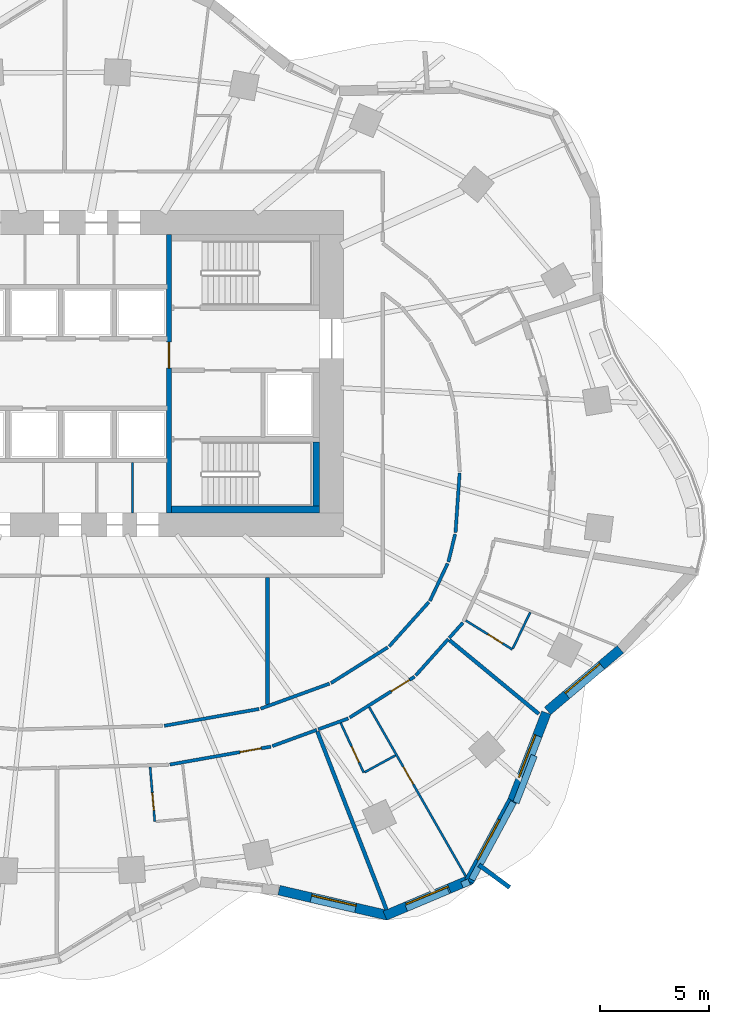
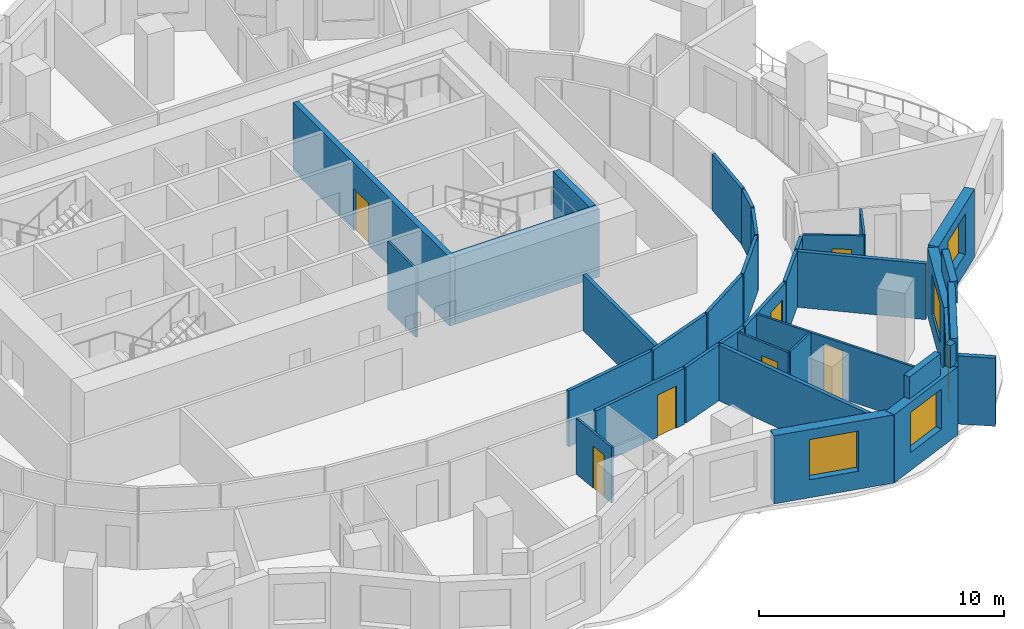
# One storey, part 7 of 13: 36 walls, 7 doors, 5 windows, 12 openings.
"""IFC4 building model written with IfcOpenShell, lengths in metres."""

from ifc_helpers import new_model, si_unit, direction, frame, frame_2d, origin, place, context, subcontext, project, spatial, rectangle, extrude, material, layer, layer_set, type_object, element, fill, save


model = new_model("IFC4")

# Units and contexts
model_context = context("Model", 3, precision=1e-05, world=origin(), true_north=direction((0.0, 1.0)))
body_context = subcontext(model_context, "Body", "Model", "MODEL_VIEW")
ifc_project = project(units=[si_unit("LENGTHUNIT", "METRE"), si_unit("AREAUNIT", "SQUARE_METRE"), si_unit("VOLUMEUNIT", "CUBIC_METRE"), si_unit("PLANEANGLEUNIT", "RADIAN"), si_unit("MASSUNIT", "GRAM", prefix="KILO")], contexts=[model_context])

# Site, building, storey
site_placement = place(None, origin())
site = spatial("IfcSite", under=ifc_project, at=site_placement, CompositionType="ELEMENT")
building_placement = place(site_placement, origin())
building = spatial("IfcBuilding", under=site, at=building_placement, Name="Rubra Terraces Tower", CompositionType="ELEMENT")
storey_placement = place(building_placement, frame((0.0, 0.0, 85.199951171875)))
storey = spatial("IfcBuildingStorey", under=building, at=storey_placement, Name="L19", CompositionType="ELEMENT", Elevation=85.199951171875)

# Walls
ifc_material_1 = material(Name="Twin plasterboard on staggered steel stud, acoustic mineral wool", Category="steel")
ifc_layer_1 = layer(ifc_material_1, 0.175048828125)
ifc_layer_set_1 = layer_set([ifc_layer_1], Name="Twin plasterboard on staggered steel stud, acoustic mineral wool")
wall_type_1 = type_object("IfcWallType", Name="ACOUSTIC PARTY WALL 175", PredefinedType="PARTITIONING", material=ifc_layer_set_1)
wall_1_placement = place(storey_placement, frame((14.975830078125, -20.15283203125, 0.0), z_axis=(0.0, 0.0, 1.0), x_axis=(-0.361741189075, 0.932278559298, 0.0)))
element("IfcWall", 1, at=wall_1_placement, inside=storey, type_object=wall_type_1, Name="PARTITION", PredefinedType="PARTITIONING", context=body_context, shape_type="SweptSolid", body=[
    extrude(rectangle(XDim=8.79052734375, YDim=0.175048828125, at=frame_2d((4.395263671875, 0.0))), origin(), (0.0, 0.0, 1.0), 2.783935546875),
])
wall_2_placement = place(storey_placement, frame((21.981201171875, -11.149658203125, 0.0), z_axis=(0.0, 0.0, 1.0), x_axis=(-0.77113299289, 0.636674098167, 0.0)))
element("IfcWall", 2, at=wall_2_placement, inside=storey, type_object=wall_type_1, Name="PARTITION", PredefinedType="PARTITIONING", context=body_context, shape_type="SweptSolid", body=[
    extrude(rectangle(XDim=5.325439453125, YDim=0.175048828125, at=frame_2d((2.66259765625, 0.0))), origin(), (0.0, 0.0, 1.0), 2.783935546875),
])
wall_3_placement = place(storey_placement, frame((9.5, -10.723388671875, 0.0), z_axis=(0.0, 0.0, 1.0), x_axis=(0.0, 1.0, 0.0)))
element("IfcWall", 3, at=wall_3_placement, inside=storey, type_object=wall_type_1, Name="PARTITION", PredefinedType="PARTITIONING", context=body_context, shape_type="SweptSolid", body=[
    extrude(rectangle(XDim=5.848388671875, YDim=0.175048828125, at=frame_2d((2.92431640625, 0.0))), origin(), (0.0, 0.0, 1.0), 2.783935546875),
])

# Wall, opening, window
ifc_material_2 = material(Name="Brick masonry red-brown", Category="masonry")
ifc_layer_2 = layer(ifc_material_2, 0.449951171875)
ifc_layer_set_2 = layer_set([ifc_layer_2], Name="Brick masonry red-brown")
wall_type_2 = type_object("IfcWallType", Name="Brick facade wall 450", PredefinedType="SOLIDWALL", material=ifc_layer_set_2)
wall_4_placement = place(storey_placement, frame((10.0341796875, -19.258544921875, 0.0), z_axis=(0.0, 0.0, 1.0), x_axis=(0.974223567844, -0.225584662283, 0.0)))
wall_4 = element("IfcWall", 4, at=wall_4_placement, inside=storey, type_object=wall_type_2, Name="Facade wall L19 bay 34", PredefinedType="SOLIDWALL", context=body_context, shape_type="SweptSolid", body=[
    extrude(rectangle(XDim=5.138671875, YDim=0.449951171875, at=frame_2d((2.5693359375, 0.0))), origin(), (0.0, 0.0, 1.0), 3.400146484375),
])
opening_1_placement = place(wall_4_placement, frame((1.51904296875, 0.0, 0.89990234375)))
opening_1 = element("IfcOpeningElement", 5, at=opening_1_placement, cuts=wall_4, Name="Opening W1", PredefinedType="OPENING", context=body_context, shape_type="SweptSolid", body=[
    extrude(rectangle(XDim=2.10009765625, YDim=2.0, at=frame_2d((1.050048828125, 1.0))), frame((0.0, 0.23486328125, 0.0), z_axis=(0.0, -1.0, 0.0), x_axis=(1.0, 0.0, 0.0)), (0.0, 0.0, 1.0), 0.469970703125),
])
ifc_material_3 = material(Name="Clear glass in aluminium frame", Category="aluminium")
window_type = type_object("IfcWindowType", Name="Fixed deep-set window 2100 x 2000", PartitioningType="SINGLE_PANEL", PredefinedType="WINDOW", material=ifc_material_3)
window_1_placement = place(opening_1_placement, origin())
window_1 = element("IfcWindow", 6, at=window_1_placement, inside=storey, type_object=window_type, Name="Window L19 bay 34", OverallHeight=2.0, OverallWidth=2.10009765625, PartitioningType="SINGLE_PANEL", PredefinedType="WINDOW", context=body_context, shape_type="SweptSolid", body=[
    extrude(rectangle(XDim=2.10009765625, YDim=2.0, at=frame_2d((1.050048828125, 1.0))), frame((0.0, 0.135009765625, 0.0), z_axis=(0.0, -1.0, 0.0), x_axis=(1.0, 0.0, 0.0)), (0.0, 0.0, 1.0), 0.06005859375),
])
fill(opening_1, window_1)

wall_5_placement = place(storey_placement, frame((14.906494140625, -20.4306640625, 0.0), z_axis=(0.0, 0.0, 1.0), x_axis=(0.921435803521, 0.388530642279, 0.0)))
wall_5 = element("IfcWall", 7, at=wall_5_placement, inside=storey, type_object=wall_type_2, Name="Facade wall L19 bay 35", PredefinedType="SOLIDWALL", context=body_context, shape_type="SweptSolid", body=[
    extrude(rectangle(XDim=4.308837890625, YDim=0.449951171875, at=frame_2d((2.154296875, 0.0))), origin(), (0.0, 0.0, 1.0), 3.400146484375),
])
opening_2_placement = place(wall_5_placement, frame((1.104248046875, 0.0, 0.89990234375)))
opening_2 = element("IfcOpeningElement", 8, at=opening_2_placement, cuts=wall_5, Name="Opening W1", PredefinedType="OPENING", context=body_context, shape_type="SweptSolid", body=[
    extrude(rectangle(XDim=2.10009765625, YDim=2.0, at=frame_2d((1.050048828125, 1.0))), frame((0.0, 0.23486328125, 0.0), z_axis=(0.0, -1.0, 0.0), x_axis=(1.0, 0.0, 0.0)), (0.0, 0.0, 1.0), 0.469970703125),
])
window_2_placement = place(opening_2_placement, origin())
window_2 = element("IfcWindow", 9, at=window_2_placement, inside=storey, type_object=window_type, Name="Window L19 bay 35", OverallHeight=2.0, OverallWidth=2.10009765625, PartitioningType="SINGLE_PANEL", PredefinedType="WINDOW", context=body_context, shape_type="SweptSolid", body=[
    extrude(rectangle(XDim=2.10009765625, YDim=2.0, at=frame_2d((1.050048828125, 1.0))), frame((0.0, 0.135009765625, 0.0), z_axis=(0.0, -1.0, 0.0), x_axis=(1.0, 0.0, 0.0)), (0.0, 0.0, 1.0), 0.06005859375),
])
fill(opening_2, window_2)

wall_6_placement = place(storey_placement, frame((18.767333984375, -18.8544921875, 0.0), z_axis=(0.0, 0.0, 1.0), x_axis=(0.474475888716, 0.880268499395, 0.0)))
wall_6 = element("IfcWall", 10, at=wall_6_placement, inside=storey, type_object=wall_type_2, Name="Facade wall L19 bay 36", PredefinedType="SOLIDWALL", context=body_context, shape_type="SweptSolid", body=[
    extrude(rectangle(XDim=4.21923828125, YDim=0.449951171875, at=frame_2d((2.109619140625, 0.0))), origin(), (0.0, 0.0, 1.0), 3.400146484375),
])
opening_3_placement = place(wall_6_placement, frame((1.059814453125, 0.0, 0.89990234375)))
opening_3 = element("IfcOpeningElement", 11, at=opening_3_placement, cuts=wall_6, Name="Opening W1", PredefinedType="OPENING", context=body_context, shape_type="SweptSolid", body=[
    extrude(rectangle(XDim=2.10009765625, YDim=2.0, at=frame_2d((1.050048828125, 1.0))), frame((0.0, 0.23486328125, 0.0), z_axis=(0.0, -1.0, 0.0), x_axis=(1.0, 0.0, 0.0)), (0.0, 0.0, 1.0), 0.469970703125),
])
window_3_placement = place(opening_3_placement, origin())
window_3 = element("IfcWindow", 12, at=window_3_placement, inside=storey, type_object=window_type, Name="Window L19 bay 36", OverallHeight=2.0, OverallWidth=2.10009765625, PartitioningType="SINGLE_PANEL", PredefinedType="WINDOW", context=body_context, shape_type="SweptSolid", body=[
    extrude(rectangle(XDim=2.10009765625, YDim=2.0, at=frame_2d((1.050048828125, 1.0))), frame((0.0, 0.135009765625, 0.0), z_axis=(0.0, -1.0, 0.0), x_axis=(1.0, 0.0, 0.0)), (0.0, 0.0, 1.0), 0.06005859375),
])
fill(opening_3, window_3)

wall_7_placement = place(storey_placement, frame((20.757080078125, -15.166015625, 0.0), z_axis=(0.0, 0.0, 1.0), x_axis=(0.360067043581, 0.932926430179, 0.0)))
wall_7 = element("IfcWall", 13, at=wall_7_placement, inside=storey, type_object=wall_type_2, Name="Facade wall L19 bay 37", PredefinedType="SOLIDWALL", context=body_context, shape_type="SweptSolid", body=[
    extrude(rectangle(XDim=4.35986328125, YDim=0.449951171875, at=frame_2d((2.179931640625, 0.0))), origin(), (0.0, 0.0, 1.0), 3.400146484375),
])
opening_4_placement = place(wall_7_placement, frame((1.1298828125, 0.0, 0.89990234375)))
opening_4 = element("IfcOpeningElement", 14, at=opening_4_placement, cuts=wall_7, Name="Opening W1", PredefinedType="OPENING", context=body_context, shape_type="SweptSolid", body=[
    extrude(rectangle(XDim=2.10009765625, YDim=2.0, at=frame_2d((1.050048828125, 1.0))), frame((0.0, 0.23486328125, 0.0), z_axis=(0.0, -1.0, 0.0), x_axis=(1.0, 0.0, 0.0)), (0.0, 0.0, 1.0), 0.469970703125),
])
window_4_placement = place(opening_4_placement, origin())
window_4 = element("IfcWindow", 15, at=window_4_placement, inside=storey, type_object=window_type, Name="Window L19 bay 37", OverallHeight=2.0, OverallWidth=2.10009765625, PartitioningType="SINGLE_PANEL", PredefinedType="WINDOW", context=body_context, shape_type="SweptSolid", body=[
    extrude(rectangle(XDim=2.10009765625, YDim=2.0, at=frame_2d((1.050048828125, 1.0))), frame((0.0, 0.135009765625, 0.0), z_axis=(0.0, -1.0, 0.0), x_axis=(1.0, 0.0, 0.0)), (0.0, 0.0, 1.0), 0.06005859375),
])
fill(opening_4, window_4)

wall_8_placement = place(storey_placement, frame((22.385986328125, -11.014404296875, 0.0), z_axis=(0.0, 0.0, 1.0), x_axis=(0.763569952162, 0.645725118108, 0.0)))
wall_8 = element("IfcWall", 16, at=wall_8_placement, inside=storey, type_object=wall_type_2, Name="Facade wall L19 bay 38", PredefinedType="SOLIDWALL", context=body_context, shape_type="SweptSolid", body=[
    extrude(rectangle(XDim=4.3857421875, YDim=0.449951171875, at=frame_2d((2.19287109375, 0.0))), origin(), (0.0, 0.0, 1.0), 3.400146484375),
])
opening_5_placement = place(wall_8_placement, frame((1.14306640625, 0.0, 0.89990234375)))
opening_5 = element("IfcOpeningElement", 17, at=opening_5_placement, cuts=wall_8, Name="Opening W1", PredefinedType="OPENING", context=body_context, shape_type="SweptSolid", body=[
    extrude(rectangle(XDim=2.10009765625, YDim=2.0, at=frame_2d((1.050048828125, 1.0))), frame((0.0, 0.23486328125, 0.0), z_axis=(0.0, -1.0, 0.0), x_axis=(1.0, 0.0, 0.0)), (0.0, 0.0, 1.0), 0.469970703125),
])
window_5_placement = place(opening_5_placement, origin())
window_5 = element("IfcWindow", 18, at=window_5_placement, inside=storey, type_object=window_type, Name="Window L19 bay 38", OverallHeight=2.0, OverallWidth=2.10009765625, PartitioningType="SINGLE_PANEL", PredefinedType="WINDOW", context=body_context, shape_type="SweptSolid", body=[
    extrude(rectangle(XDim=2.10009765625, YDim=2.0, at=frame_2d((1.050048828125, 1.0))), frame((0.0, 0.135009765625, 0.0), z_axis=(0.0, -1.0, 0.0), x_axis=(1.0, 0.0, 0.0)), (0.0, 0.0, 1.0), 0.06005859375),
])
fill(opening_5, window_5)

# Walls
ifc_layer_3 = layer(ifc_material_2, 0.300048828125)
ifc_layer_set_3 = layer_set([ifc_layer_3], Name="Brick masonry red-brown")
wall_type_3 = type_object("IfcWallType", Name="Brick parapet 300", PredefinedType="PARAPET", material=ifc_layer_set_3)
wall_9_placement = place(storey_placement, frame((15.890869140625, -20.096923828125, 3.60009765625), z_axis=(0.0, 0.0, 1.0), x_axis=(0.921468908678, 0.388452121038, 0.0)))
element("IfcWall", 19, at=wall_9_placement, inside=storey, type_object=wall_type_3, Name="Parapet L19 bay 35", PredefinedType="PARAPET", context=body_context, shape_type="SweptSolid", body=[
    extrude(rectangle(XDim=2.09912109375, YDim=0.300048828125, at=frame_2d((1.049560546875, 0.0))), origin(), (0.0, 0.0, 1.0), 1.099853515625),
])
wall_10_placement = place(storey_placement, frame((18.4462890625, -19.01953125, 3.60009765625), z_axis=(0.0, 0.0, 1.0), x_axis=(0.921356634102, 0.388718346358, 0.0)))
element("IfcWall", 20, at=wall_10_placement, inside=storey, type_object=wall_type_3, Name="Parapet L19 bay 35.2", PredefinedType="PARAPET", context=body_context, shape_type="SweptSolid", body=[
    extrude(rectangle(XDim=0.363037109375, YDim=0.300048828125, at=frame_2d((0.181640625, 0.0))), origin(), (0.0, 0.0, 1.0), 1.099853515625),
])
wall_11_placement = place(storey_placement, frame((18.896484375, -18.7734375, 3.60009765625), z_axis=(0.0, 0.0, 1.0), x_axis=(0.474444905835, 0.880285198857, 0.0)))
element("IfcWall", 21, at=wall_11_placement, inside=storey, type_object=wall_type_3, Name="Parapet L19 bay 36", PredefinedType="PARAPET", context=body_context, shape_type="SweptSolid", body=[
    extrude(rectangle(XDim=4.0498046875, YDim=0.300048828125, at=frame_2d((2.02490234375, 0.0))), origin(), (0.0, 0.0, 1.0), 1.099853515625),
])
wall_12_placement = place(storey_placement, frame((20.932861328125, -15.236572265625, 3.60009765625), z_axis=(0.0, 0.0, 1.0), x_axis=(0.360021038217, 0.932944184848, 0.0)))
element("IfcWall", 22, at=wall_12_placement, inside=storey, type_object=wall_type_3, Name="Parapet L19 bay 37", PredefinedType="PARAPET", context=body_context, shape_type="SweptSolid", body=[
    extrude(rectangle(XDim=2.3232421875, YDim=0.300048828125, at=frame_2d((1.16162109375, 0.0))), origin(), (0.0, 0.0, 1.0), 1.099853515625),
])
ifc_layer_4 = layer(ifc_material_2, 0.199951171875)
ifc_layer_set_4 = layer_set([ifc_layer_4], Name="Brick masonry red-brown")
wall_type_4 = type_object("IfcWallType", Name="Brick wind fin 200", PredefinedType="SOLIDWALL", material=ifc_layer_set_4)
wall_13_placement = place(storey_placement, frame((19.23095703125, -18.09912109375, 0.0), z_axis=(0.0, 0.0, 1.0), x_axis=(0.806085538754, -0.591799040394, 0.0)))
element("IfcWall", 23, at=wall_13_placement, inside=storey, type_object=wall_type_4, Name="Wind fin L19 22", PredefinedType="SOLIDWALL", context=body_context, shape_type="SweptSolid", body=[
    extrude(rectangle(XDim=1.75, YDim=0.199951171875, at=frame_2d((0.875, 0.0))), origin(), (0.0, 0.0, 1.0), 3.400146484375),
])

# Wall, opening, door
ifc_material_4 = material(Name="Plasterboard on steel stud, mineral wool infill", Category="steel")
ifc_layer_5 = layer(ifc_material_4, 0.14990234375)
ifc_layer_set_5 = layer_set([ifc_layer_5], Name="Plasterboard on steel stud, mineral wool infill")
wall_type_5 = type_object("IfcWallType", Name="CORRIDOR PARTITION 150", PredefinedType="PARTITIONING", material=ifc_layer_set_5)
wall_14_placement = place(storey_placement, frame((5.0146484375, -13.480224609375, 0.0), z_axis=(0.0, 0.0, 1.0), x_axis=(0.984637772103, 0.174609443467, 0.0)))
wall_14 = element("IfcWall", 24, at=wall_14_placement, inside=storey, type_object=wall_type_5, Name="PARTITION", PredefinedType="PARTITIONING", context=body_context, shape_type="SweptSolid", body=[
    extrude(rectangle(XDim=4.71484375, YDim=0.14990234375, at=frame_2d((2.357421875, 0.0))), origin(), (0.0, 0.0, 1.0), 2.783935546875),
])
opening_6_placement = place(wall_14_placement, frame((3.27197265625, 0.0, 0.0)))
opening_6 = element("IfcOpeningElement", 25, at=opening_6_placement, cuts=wall_14, Name="Opening 19-123", PredefinedType="OPENING", context=body_context, shape_type="SweptSolid", body=[
    extrude(rectangle(XDim=1.0, YDim=2.10009765625, at=frame_2d((0.5, 1.050048828125))), frame((0.0, 0.0849609375, 0.0), z_axis=(0.0, -1.0, 0.0), x_axis=(1.0, 0.0, 0.0)), (0.0, 0.0, 1.0), 0.169921875),
])
ifc_material_5 = material(Name="Painted timber door leaf", Category="wood")
door_type_1 = type_object("IfcDoorType", Name="ROOM DOOR 1000 X 2100", OperationType="SINGLE_SWING_LEFT", PredefinedType="DOOR", material=ifc_material_5)
door_1_placement = place(opening_6_placement, origin())
door_1 = element("IfcDoor", 26, at=door_1_placement, inside=storey, type_object=door_type_1, Name="DOOR 19-123", OperationType="SINGLE_SWING_RIGHT", OverallHeight=2.10009765625, OverallWidth=1.0, PredefinedType="DOOR", context=body_context, shape_type="SweptSolid", body=[
    extrude(rectangle(XDim=1.0, YDim=2.10009765625, at=frame_2d((0.5, 1.050048828125))), frame((0.0, 0.02490234375, 0.0), z_axis=(0.0, -1.0, 0.0), x_axis=(1.0, 0.0, 0.0)), (0.0, 0.0, 1.0), 0.050048828125),
])
fill(opening_6, door_1)

# Walls
wall_15_placement = place(storey_placement, frame((9.7275390625, -12.631103515625, 0.0), z_axis=(0.0, 0.0, 1.0), x_axis=(0.939625968265, 0.342203214133, 0.0)))
element("IfcWall", 27, at=wall_15_placement, inside=storey, type_object=wall_type_5, Name="PARTITION", PredefinedType="PARTITIONING", context=body_context, shape_type="SweptSolid", body=[
    extrude(rectangle(XDim=2.17236328125, YDim=0.14990234375, at=frame_2d((1.086181640625, 0.0))), origin(), (0.0, 0.0, 1.0), 2.783935546875),
])
wall_16_placement = place(storey_placement, frame((11.83935546875, -11.862060546875, 0.0), z_axis=(0.0, 0.0, 1.0), x_axis=(0.939613732968, 0.342236808099, 0.0)))
element("IfcWall", 28, at=wall_16_placement, inside=storey, type_object=wall_type_5, Name="PARTITION", PredefinedType="PARTITIONING", context=body_context, shape_type="SweptSolid", body=[
    extrude(rectangle(XDim=1.46875, YDim=0.14990234375, at=frame_2d((0.734375, 0.0))), origin(), (0.0, 0.0, 1.0), 2.783935546875),
])

# Wall, opening, door
wall_17_placement = place(storey_placement, frame((13.282958984375, -11.3193359375, 0.0), z_axis=(0.0, 0.0, 1.0), x_axis=(0.84630789582, 0.532694044901, 0.0)))
wall_17 = element("IfcWall", 29, at=wall_17_placement, inside=storey, type_object=wall_type_5, Name="PARTITION", PredefinedType="PARTITIONING", context=body_context, shape_type="SweptSolid", body=[
    extrude(rectangle(XDim=3.5302734375, YDim=0.14990234375, at=frame_2d((1.76513671875, 0.0))), origin(), (0.0, 0.0, 1.0), 2.783935546875),
])
opening_7_placement = place(wall_17_placement, frame((2.25, 0.0, 0.0)))
opening_7 = element("IfcOpeningElement", 30, at=opening_7_placement, cuts=wall_17, Name="Opening 19-126", PredefinedType="OPENING", context=body_context, shape_type="SweptSolid", body=[
    extrude(rectangle(XDim=1.0, YDim=2.10009765625, at=frame_2d((0.5, 1.050048828125))), frame((0.0, 0.0849609375, 0.0), z_axis=(0.0, -1.0, 0.0), x_axis=(1.0, 0.0, 0.0)), (0.0, 0.0, 1.0), 0.169921875),
])
door_2_placement = place(opening_7_placement, origin())
door_2 = element("IfcDoor", 31, at=door_2_placement, inside=storey, type_object=door_type_1, Name="DOOR 19-126", OperationType="SINGLE_SWING_RIGHT", OverallHeight=2.10009765625, OverallWidth=1.0, PredefinedType="DOOR", context=body_context, shape_type="SweptSolid", body=[
    extrude(rectangle(XDim=1.0, YDim=2.10009765625, at=frame_2d((0.5, 1.050048828125))), frame((0.0, 0.02490234375, 0.0), z_axis=(0.0, -1.0, 0.0), x_axis=(1.0, 0.0, 0.0)), (0.0, 0.0, 1.0), 0.050048828125),
])
fill(opening_7, door_2)

# Walls
wall_18_placement = place(storey_placement, frame((16.32080078125, -9.3828125, 0.0), z_axis=(0.0, 0.0, 1.0), x_axis=(0.666839397401, 0.745201461401, 0.0)))
element("IfcWall", 32, at=wall_18_placement, inside=storey, type_object=wall_type_5, Name="PARTITION", PredefinedType="PARTITIONING", context=body_context, shape_type="SweptSolid", body=[
    extrude(rectangle(XDim=2.2431640625, YDim=0.14990234375, at=frame_2d((1.12158203125, 0.0))), origin(), (0.0, 0.0, 1.0), 2.783935546875),
])
wall_19_placement = place(storey_placement, frame((17.86669921875, -7.6552734375, 0.0), z_axis=(0.0, 0.0, 1.0), x_axis=(0.666810140689, 0.745227640574, 0.0)))
element("IfcWall", 33, at=wall_19_placement, inside=storey, type_object=wall_type_5, Name="PARTITION", PredefinedType="PARTITIONING", context=body_context, shape_type="SweptSolid", body=[
    extrude(rectangle(XDim=0.93408203125, YDim=0.14990234375, at=frame_2d((0.467041015625, 0.0))), origin(), (0.0, 0.0, 1.0), 2.783935546875),
])
wall_20_placement = place(storey_placement, frame((18.339599609375, -0.07470703125, 0.0), z_axis=(0.0, 0.0, 1.0), x_axis=(-0.068328193832, -0.997662897941, 0.0)))
element("IfcWall", 34, at=wall_20_placement, inside=storey, type_object=wall_type_5, Name="PARTITION", PredefinedType="PARTITIONING", context=body_context, shape_type="SweptSolid", body=[
    extrude(rectangle(XDim=2.740478515625, YDim=0.14990234375, at=frame_2d((1.3701171875, 0.0))), origin(), (0.0, 0.0, 1.0), 2.783935546875),
])
wall_21_placement = place(storey_placement, frame((18.134521484375, -2.8818359375, 0.0), z_axis=(0.0, 0.0, 1.0), x_axis=(-0.236653741324, -0.971594054489, 0.0)))
element("IfcWall", 35, at=wall_21_placement, inside=storey, type_object=wall_type_5, Name="PARTITION", PredefinedType="PARTITIONING", context=body_context, shape_type="SweptSolid", body=[
    extrude(rectangle(XDim=1.319580078125, YDim=0.14990234375, at=frame_2d((0.65966796875, 0.0))), origin(), (0.0, 0.0, 1.0), 2.783935546875),
])
wall_22_placement = place(storey_placement, frame((17.7900390625, -4.2314453125, 0.0), z_axis=(0.0, 0.0, 1.0), x_axis=(-0.428042272357, -0.90375871397, 0.0)))
element("IfcWall", 36, at=wall_22_placement, inside=storey, type_object=wall_type_5, Name="PARTITION", PredefinedType="PARTITIONING", context=body_context, shape_type="SweptSolid", body=[
    extrude(rectangle(XDim=1.905029296875, YDim=0.14990234375, at=frame_2d((0.95263671875, 0.0))), origin(), (0.0, 0.0, 1.0), 2.783935546875),
])
wall_23_placement = place(storey_placement, frame((16.924560546875, -6.009033203125, 0.0), z_axis=(0.0, 0.0, 1.0), x_axis=(-0.666893859891, -0.745152722359, 0.0)))
element("IfcWall", 37, at=wall_23_placement, inside=storey, type_object=wall_type_5, Name="PARTITION", PredefinedType="PARTITIONING", context=body_context, shape_type="SweptSolid", body=[
    extrude(rectangle(XDim=2.739013671875, YDim=0.14990234375, at=frame_2d((1.36962890625, 0.0))), origin(), (0.0, 0.0, 1.0), 2.783935546875),
])
wall_24_placement = place(storey_placement, frame((15.034423828125, -8.090087890625, 0.0), z_axis=(0.0, 0.0, 1.0), x_axis=(-0.846322679414, -0.532670557014, 0.0)))
element("IfcWall", 38, at=wall_24_placement, inside=storey, type_object=wall_type_5, Name="PARTITION", PredefinedType="PARTITIONING", context=body_context, shape_type="SweptSolid", body=[
    extrude(rectangle(XDim=3.08544921875, YDim=0.14990234375, at=frame_2d((1.542724609375, 0.0))), origin(), (0.0, 0.0, 1.0), 2.783935546875),
])
wall_25_placement = place(storey_placement, frame((12.3525390625, -9.759521484375, 0.0), z_axis=(0.0, 0.0, 1.0), x_axis=(-0.939632450309, -0.342185415127, 0.0)))
element("IfcWall", 39, at=wall_25_placement, inside=storey, type_object=wall_type_5, Name="PARTITION", PredefinedType="PARTITIONING", context=body_context, shape_type="SweptSolid", body=[
    extrude(rectangle(XDim=3.36767578125, YDim=0.14990234375, at=frame_2d((1.683837890625, 0.0))), origin(), (0.0, 0.0, 1.0), 2.783935546875),
])
wall_26_placement = place(storey_placement, frame((9.114501953125, -10.925048828125, 0.0), z_axis=(0.0, 0.0, 1.0), x_axis=(-0.984632605417, -0.174638576352, 0.0)))
element("IfcWall", 40, at=wall_26_placement, inside=storey, type_object=wall_type_5, Name="PARTITION", PredefinedType="PARTITIONING", context=body_context, shape_type="SweptSolid", body=[
    extrude(rectangle(XDim=4.423095703125, YDim=0.14990234375, at=frame_2d((2.21142578125, 0.0))), origin(), (0.0, 0.0, 1.0), 2.783935546875),
])
ifc_material_6 = material(Name="Concrete C40", Category="concrete")
ifc_layer_6 = layer(ifc_material_6, 0.300048828125)
ifc_layer_set_6 = layer_set([ifc_layer_6], Name="Concrete C40")
wall_type_6 = type_object("IfcWallType", Name="Core lining wall 300 concrete", PredefinedType="SOLIDWALL", material=ifc_layer_set_6)
wall_27_placement = place(storey_placement, frame((11.75, 1.35009765625, 0.0), z_axis=(0.0, 0.0, 1.0), x_axis=(0.0, -1.0, 0.0)))
element("IfcWall", 41, at=wall_27_placement, inside=storey, type_object=wall_type_6, Name="CORE LINING WALL L19", PredefinedType="SOLIDWALL", context=body_context, shape_type="SweptSolid", body=[
    extrude(rectangle(XDim=2.9501953125, YDim=0.300048828125, at=frame_2d((1.47509765625, 0.0))), origin(), (0.0, 0.0, 1.0), 3.400146484375),
])
wall_28_placement = place(storey_placement, frame((11.89990234375, -1.75, 0.0), z_axis=(0.0, 0.0, 1.0), x_axis=(-1.0, 0.0, 0.0)))
element("IfcWall", 42, at=wall_28_placement, inside=storey, type_object=wall_type_6, Name="CORE LINING WALL L19", PredefinedType="SOLIDWALL", context=body_context, shape_type="SweptSolid", body=[
    extrude(rectangle(XDim=6.7998046875, YDim=0.300048828125, at=frame_2d((3.39990234375, 0.0))), origin(), (0.0, 0.0, 1.0), 3.400146484375),
])

# Wall, opening, door
ifc_material_7 = material(Name="Plasterboard on steel stud", Category="steel")
ifc_layer_7 = layer(ifc_material_7, 0.10009765625)
ifc_layer_set_7 = layer_set([ifc_layer_7], Name="Plasterboard on steel stud")
wall_type_7 = type_object("IfcWallType", Name="ROOM PARTITION 100", PredefinedType="PARTITIONING", material=ifc_layer_set_7)
wall_29_placement = place(storey_placement, frame((4.104736328125, -13.58984375, 0.0), z_axis=(0.0, 0.0, 1.0), x_axis=(0.084989774177, -0.996381823542, 0.0)))
wall_29 = element("IfcWall", 43, at=wall_29_placement, inside=storey, type_object=wall_type_7, Name="PARTITION", PredefinedType="PARTITIONING", context=body_context, shape_type="SweptSolid", body=[
    extrude(rectangle(XDim=2.52490234375, YDim=0.10009765625, at=frame_2d((1.262451171875, 0.0))), origin(), (0.0, 0.0, 1.0), 2.783935546875),
])
opening_8_placement = place(wall_29_placement, frame((1.199951171875, 0.0, 0.0)))
opening_8 = element("IfcOpeningElement", 44, at=opening_8_placement, cuts=wall_29, Name="Opening 19-121", PredefinedType="OPENING", context=body_context, shape_type="SweptSolid", body=[
    extrude(rectangle(XDim=0.800048828125, YDim=2.10009765625, at=frame_2d((0.39990234375, 1.050048828125))), frame((0.0, 0.06005859375, 0.0), z_axis=(0.0, -1.0, 0.0), x_axis=(1.0, 0.0, 0.0)), (0.0, 0.0, 1.0), 0.1201171875),
])
door_type_2 = type_object("IfcDoorType", Name="BATHROOM DOOR 800 X 2100", OperationType="SINGLE_SWING_LEFT", PredefinedType="DOOR", material=ifc_material_5)
door_3_placement = place(opening_8_placement, origin())
door_3 = element("IfcDoor", 45, at=door_3_placement, inside=storey, type_object=door_type_2, Name="DOOR 19-121", OperationType="SINGLE_SWING_LEFT", OverallHeight=2.10009765625, OverallWidth=0.800048828125, PredefinedType="DOOR", context=body_context, shape_type="SweptSolid", body=[
    extrude(rectangle(XDim=0.800048828125, YDim=2.10009765625, at=frame_2d((0.39990234375, 1.050048828125))), frame((0.0, 0.02490234375, 0.0), z_axis=(0.0, -1.0, 0.0), x_axis=(1.0, 0.0, 0.0)), (0.0, 0.0, 1.0), 0.050048828125),
])
fill(opening_8, door_3)

wall_30_placement = place(storey_placement, frame((18.622314453125, -18.615478515625, 0.0), z_axis=(0.0, 0.0, 1.0), x_axis=(-0.495924530613, 0.868365625723, 0.0)))
wall_30 = element("IfcWall", 46, at=wall_30_placement, inside=storey, type_object=wall_type_7, Name="PARTITION", PredefinedType="PARTITIONING", context=body_context, shape_type="SweptSolid", body=[
    extrude(rectangle(XDim=8.952392578125, YDim=0.10009765625, at=frame_2d((4.47607421875, 0.0))), origin(), (0.0, 0.0, 1.0), 2.783935546875),
])
opening_9_placement = place(wall_30_placement, frame((4.876953125, 0.0, 0.0)))
opening_9 = element("IfcOpeningElement", 47, at=opening_9_placement, cuts=wall_30, Name="Opening 19-125", PredefinedType="OPENING", context=body_context, shape_type="SweptSolid", body=[
    extrude(rectangle(XDim=0.89990234375, YDim=2.39990234375, at=frame_2d((0.449951171875, 1.199951171875))), frame((0.0, 0.06005859375, 0.0), z_axis=(0.0, -1.0, 0.0), x_axis=(1.0, 0.0, 0.0)), (0.0, 0.0, 1.0), 0.1201171875),
])
ifc_material_8 = material(Name="Veneered timber door leaf, fire-rated", Category="wood")
door_type_3 = type_object("IfcDoorType", Name="SUITE ENTRANCE DOOR 900 X 2400", OperationType="SINGLE_SWING_LEFT", PredefinedType="DOOR", material=ifc_material_8)
door_4_placement = place(opening_9_placement, origin())
door_4 = element("IfcDoor", 48, at=door_4_placement, inside=storey, type_object=door_type_3, Name="DOOR 19-125", OperationType="SINGLE_SWING_LEFT", OverallHeight=2.39990234375, OverallWidth=0.89990234375, PredefinedType="DOOR", context=body_context, shape_type="SweptSolid", body=[
    extrude(rectangle(XDim=0.89990234375, YDim=2.39990234375, at=frame_2d((0.449951171875, 1.199951171875))), frame((0.0, 0.02490234375, 0.0), z_axis=(0.0, -1.0, 0.0), x_axis=(1.0, 0.0, 0.0)), (0.0, 0.0, 1.0), 0.050048828125),
])
fill(opening_9, door_4)

wall_31_placement = place(storey_placement, frame((12.86962890625, -11.566162109375, 0.0), z_axis=(0.0, 0.0, 1.0), x_axis=(0.42076187936, -0.907171119953, 0.0)))
wall_31 = element("IfcWall", 49, at=wall_31_placement, inside=storey, type_object=wall_type_7, Name="PARTITION", PredefinedType="PARTITIONING", context=body_context, shape_type="SweptSolid", body=[
    extrude(rectangle(XDim=2.525146484375, YDim=0.10009765625, at=frame_2d((1.2626953125, 0.0))), origin(), (0.0, 0.0, 1.0), 2.783935546875),
])
opening_10_placement = place(wall_31_placement, frame((1.199951171875, 0.0, 0.0)))
opening_10 = element("IfcOpeningElement", 50, at=opening_10_placement, cuts=wall_31, Name="Opening 19-124", PredefinedType="OPENING", context=body_context, shape_type="SweptSolid", body=[
    extrude(rectangle(XDim=0.800048828125, YDim=2.10009765625, at=frame_2d((0.39990234375, 1.050048828125))), frame((0.0, 0.06005859375, 0.0), z_axis=(0.0, -1.0, 0.0), x_axis=(1.0, 0.0, 0.0)), (0.0, 0.0, 1.0), 0.1201171875),
])
door_5_placement = place(opening_10_placement, origin())
door_5 = element("IfcDoor", 51, at=door_5_placement, inside=storey, type_object=door_type_2, Name="DOOR 19-124", OperationType="SINGLE_SWING_LEFT", OverallHeight=2.10009765625, OverallWidth=0.800048828125, PredefinedType="DOOR", context=body_context, shape_type="SweptSolid", body=[
    extrude(rectangle(XDim=0.800048828125, YDim=2.10009765625, at=frame_2d((0.39990234375, 1.050048828125))), frame((0.0, 0.02490234375, 0.0), z_axis=(0.0, -1.0, 0.0), x_axis=(1.0, 0.0, 0.0)), (0.0, 0.0, 1.0), 0.050048828125),
])
fill(opening_10, door_5)

# Wall
wall_32_placement = place(storey_placement, frame((13.97607421875, -13.8330078125, 0.0), z_axis=(0.0, 0.0, 1.0), x_axis=(0.877160016476, 0.480198193975, 0.0)))
element("IfcWall", 52, at=wall_32_placement, inside=storey, type_object=wall_type_7, Name="PARTITION", PredefinedType="PARTITIONING", context=body_context, shape_type="SweptSolid", body=[
    extrude(rectangle(XDim=1.61328125, YDim=0.10009765625, at=frame_2d((0.806640625, 0.0))), origin(), (0.0, 0.0, 1.0), 2.783935546875),
])

# Wall, opening, door
wall_33_placement = place(storey_placement, frame((18.62109375, -6.855712890625, 0.0), z_axis=(0.0, 0.0, 1.0), x_axis=(0.849413013487, -0.527728654253, 0.0)))
wall_33 = element("IfcWall", 53, at=wall_33_placement, inside=storey, type_object=wall_type_7, Name="PARTITION", PredefinedType="PARTITIONING", context=body_context, shape_type="SweptSolid", body=[
    extrude(rectangle(XDim=2.52490234375, YDim=0.10009765625, at=frame_2d((1.262451171875, 0.0))), origin(), (0.0, 0.0, 1.0), 2.783935546875),
])
opening_11_placement = place(wall_33_placement, frame((1.199951171875, 0.0, 0.0)))
opening_11 = element("IfcOpeningElement", 54, at=opening_11_placement, cuts=wall_33, Name="Opening 19-127", PredefinedType="OPENING", context=body_context, shape_type="SweptSolid", body=[
    extrude(rectangle(XDim=0.800048828125, YDim=2.10009765625, at=frame_2d((0.39990234375, 1.050048828125))), frame((0.0, 0.06005859375, 0.0), z_axis=(0.0, -1.0, 0.0), x_axis=(1.0, 0.0, 0.0)), (0.0, 0.0, 1.0), 0.1201171875),
])
door_6_placement = place(opening_11_placement, origin())
door_6 = element("IfcDoor", 55, at=door_6_placement, inside=storey, type_object=door_type_2, Name="DOOR 19-127", OperationType="SINGLE_SWING_LEFT", OverallHeight=2.10009765625, OverallWidth=0.800048828125, PredefinedType="DOOR", context=body_context, shape_type="SweptSolid", body=[
    extrude(rectangle(XDim=0.800048828125, YDim=2.10009765625, at=frame_2d((0.39990234375, 1.050048828125))), frame((0.0, 0.02490234375, 0.0), z_axis=(0.0, -1.0, 0.0), x_axis=(1.0, 0.0, 0.0)), (0.0, 0.0, 1.0), 0.050048828125),
])
fill(opening_11, door_6)

# Walls
wall_34_placement = place(storey_placement, frame((20.78759765625, -8.143310546875, 0.0), z_axis=(0.0, 0.0, 1.0), x_axis=(0.433744136444, 0.901036083684, 0.0)))
element("IfcWall", 56, at=wall_34_placement, inside=storey, type_object=wall_type_7, Name="PARTITION", PredefinedType="PARTITIONING", context=body_context, shape_type="SweptSolid", body=[
    extrude(rectangle(XDim=1.848388671875, YDim=0.10009765625, at=frame_2d((0.92431640625, 0.0))), origin(), (0.0, 0.0, 1.0), 2.783935546875),
])
ifc_material_9 = material(Name="Blockwork", Category="masonry")
ifc_layer_8 = layer(ifc_material_9, 0.10009765625)
ifc_layer_set_8 = layer_set([ifc_layer_8], Name="Blockwork")
wall_type_8 = type_object("IfcWallType", Name="Service partition 100 blockwork", PredefinedType="PARTITIONING", material=ifc_layer_set_8)
wall_35_placement = place(storey_placement, frame((3.300048828125, -1.89990234375, 0.0), z_axis=(0.0, 0.0, 1.0), x_axis=(0.0, 1.0, 0.0)))
element("IfcWall", 57, at=wall_35_placement, inside=storey, type_object=wall_type_8, Name="SERVICE ROOM PARTITION L19", PredefinedType="PARTITIONING", context=body_context, shape_type="SweptSolid", body=[
    extrude(rectangle(XDim=2.2998046875, YDim=0.10009765625, at=frame_2d((1.14990234375, 0.0))), origin(), (0.0, 0.0, 1.0), 3.400146484375),
])

# Wall, opening, door
ifc_layer_9 = layer(ifc_material_6, 0.25)
ifc_layer_set_9 = layer_set([ifc_layer_9], Name="Concrete C40")
wall_type_9 = type_object("IfcWallType", Name="Stair enclosure wall 250 concrete", PredefinedType="SOLIDWALL", material=ifc_layer_set_9)
wall_36_placement = place(storey_placement, frame((4.97509765625, 10.89990234375, 0.0), z_axis=(0.0, 0.0, 1.0), x_axis=(0.0, -1.0, 0.0)))
wall_36 = element("IfcWall", 58, at=wall_36_placement, inside=storey, type_object=wall_type_9, Name="CORE LOBBY WALL L19", PredefinedType="SOLIDWALL", context=body_context, shape_type="SweptSolid", body=[
    extrude(rectangle(XDim=12.7998046875, YDim=0.25, at=frame_2d((6.39990234375, 0.0))), origin(), (0.0, 0.0, 1.0), 3.400146484375),
])
opening_12_placement = place(wall_36_placement, frame((4.949951171875, 0.0, 0.0)))
opening_12 = element("IfcOpeningElement", 59, at=opening_12_placement, cuts=wall_36, Name="Opening L19.C04", PredefinedType="OPENING", context=body_context, shape_type="SweptSolid", body=[
    extrude(rectangle(XDim=1.199951171875, YDim=2.10009765625, at=frame_2d((0.60009765625, 1.050048828125))), frame((0.0, 0.135009765625, 0.0), z_axis=(0.0, -1.0, 0.0), x_axis=(1.0, 0.0, 0.0)), (0.0, 0.0, 1.0), 0.27001953125),
])
ifc_material_10 = material(Name="Painted steel", Category="steel")
door_type_4 = type_object("IfcDoorType", Name="Fire door 1200x2100 single", OperationType="NOTDEFINED", PredefinedType="DOOR", material=ifc_material_10)
door_7_placement = place(opening_12_placement, origin())
door_7 = element("IfcDoor", 60, at=door_7_placement, inside=storey, type_object=door_type_4, Name="Firefighting lobby door FF2", OperationType="SINGLE_SWING_RIGHT", OverallHeight=2.10009765625, OverallWidth=1.199951171875, PredefinedType="DOOR", context=body_context, shape_type="SweptSolid", body=[
    extrude(rectangle(XDim=1.199951171875, YDim=2.10009765625, at=frame_2d((0.60009765625, 1.050048828125))), frame((0.0, 0.02490234375, 0.0), z_axis=(0.0, -1.0, 0.0), x_axis=(1.0, 0.0, 0.0)), (0.0, 0.0, 1.0), 0.050048828125),
])
fill(opening_12, door_7)

save(model, "model.ifc")
